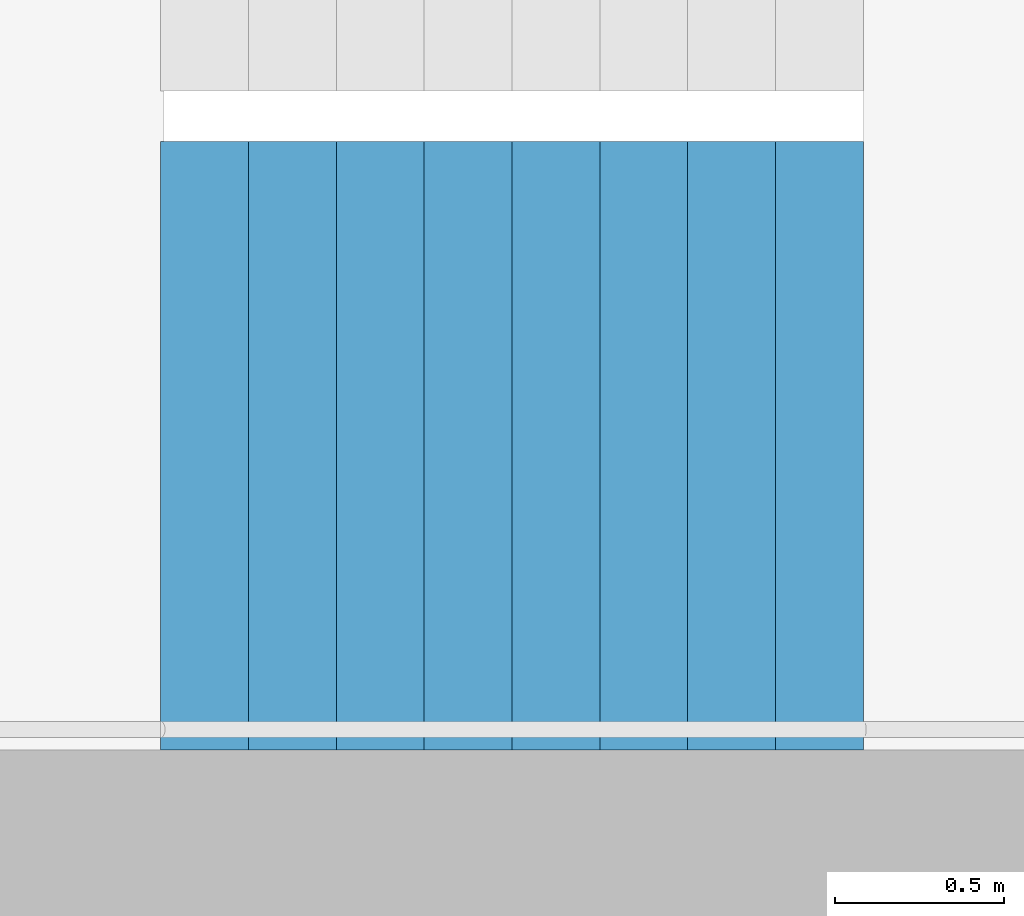
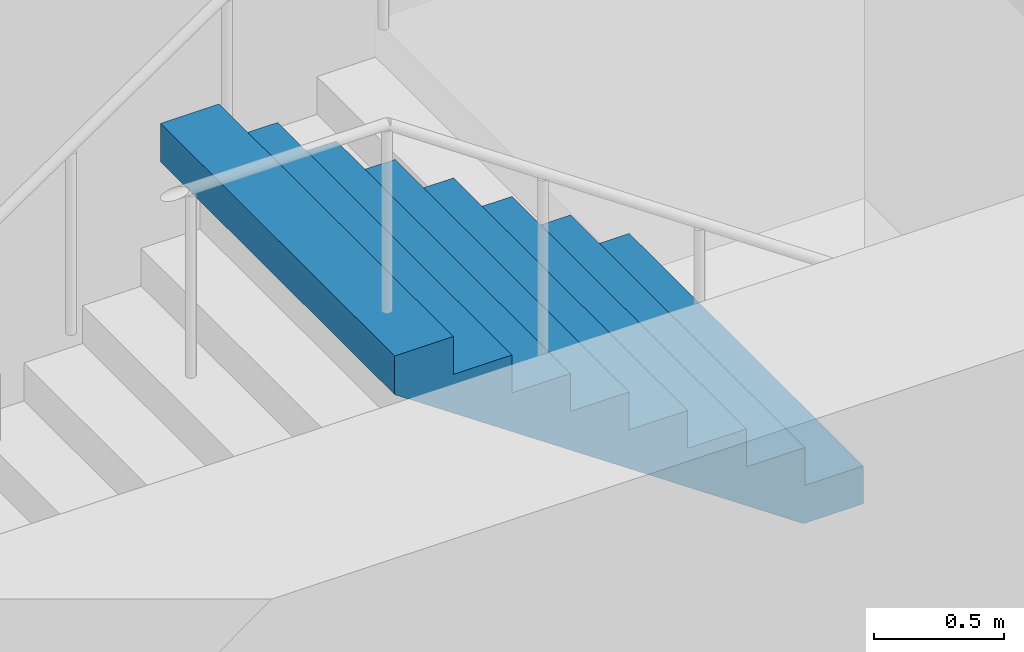
# One storey, part 25 of 29: 1 stair flight, 1 element without a shape of its own.
"""IFC4 building model written with IfcOpenShell, lengths in metres."""

from ifc_helpers import new_model, si_unit, direction, frame, origin, place, context, subcontext, project, spatial, triangles, material, type_object, element, aggregate, save


model = new_model("IFC4")

# Units and contexts
model_context = context("Model", 3, precision=1e-05, world=origin(), true_north=direction((0.0, 1.0)))
body_context = subcontext(model_context, "Body", "Model", "MODEL_VIEW")
ifc_project = project(units=[si_unit("LENGTHUNIT", "METRE"), si_unit("AREAUNIT", "SQUARE_METRE"), si_unit("VOLUMEUNIT", "CUBIC_METRE"), si_unit("PLANEANGLEUNIT", "RADIAN"), si_unit("MASSUNIT", "GRAM", prefix="KILO")], contexts=[model_context])

# Site, building, storey
site_placement = place(None, origin())
site = spatial("IfcSite", under=ifc_project, at=site_placement, CompositionType="ELEMENT")
building_placement = place(site_placement, origin())
building = spatial("IfcBuilding", under=site, at=building_placement, Name="Hakoniwa Tower and Hamabe Station Hall", CompositionType="ELEMENT")
storey_placement = place(building_placement, frame((0.0, 0.0, 104.199951171875)))
storey = spatial("IfcBuildingStorey", under=building, at=storey_placement, Name="L29", CompositionType="ELEMENT", Elevation=104.199951171875)

# Stair, stair flight
ifc_material_1 = material(Name="Concrete C40", Category="concrete")
stair_type = type_object("IfcStairType", Name="ESCAPE STAIR 1800", PredefinedType="HALF_TURN_STAIR", material=ifc_material_1)
stair_placement = place(storey_placement, origin())
stair = element("IfcStair", 1, at=stair_placement, inside=storey, type_object=stair_type, Name="Escape stair ST-4 L29", PredefinedType="HALF_TURN_STAIR")
ifc_material_2 = material(Name="Concrete C40", Category="concrete")
stair_flight_type = type_object("IfcStairFlightType", Name="STAIR FLIGHT 1800", PredefinedType="STRAIGHT", material=ifc_material_2)
stair_flight_placement = place(storey_placement, frame((25.47998046875, -6.60009765625, 1.60009765625), z_axis=(0.0, 0.0, 1.0), x_axis=(-1.0, 0.0, 0.0)))
stair_flight = element("IfcStairFlight", 2, at=stair_flight_placement, type_object=stair_flight_type, Name="ST-4 flight 2", NumberOfRisers=9, NumberOfTreads=8, PredefinedType="STRAIGHT", RiserHeight=0.177777778, TreadLength=0.26, context=body_context, shape_type="Tessellation", body=[
    triangles([(0.0, 0.89990234375, 0.0), (0.260009765625, 0.89990234375, 0.0), (0.265625, 0.89990234375, 0.0), (0.52001953125, 0.89990234375, 0.174072265625), (0.780029296875, 0.89990234375, 0.351806640625), (1.0400390625, 0.89990234375, 0.529541015625), (1.300048828125, 0.89990234375, 0.707275390625), (1.56005859375, 0.89990234375, 0.885009765625), (1.820068359375, 0.89990234375, 1.062744140625), (2.080078125, 0.89990234375, 1.24072265625), (2.080078125, 0.89990234375, 1.422119140625), (1.820068359375, 0.89990234375, 1.422119140625), (1.820068359375, 0.89990234375, 1.244384765625), (1.56005859375, 0.89990234375, 1.244384765625), (1.56005859375, 0.89990234375, 1.066650390625), (1.300048828125, 0.89990234375, 1.066650390625), (1.300048828125, 0.89990234375, 0.888916015625), (1.0400390625, 0.89990234375, 0.888916015625), (1.0400390625, 0.89990234375, 0.711181640625), (0.780029296875, 0.89990234375, 0.711181640625), (0.780029296875, 0.89990234375, 0.533447265625), (0.52001953125, 0.89990234375, 0.533447265625), (0.52001953125, 0.89990234375, 0.35546875), (0.265625, 0.89990234375, 0.35546875), (0.260009765625, 0.89990234375, 0.35546875), (0.260009765625, 0.89990234375, 0.177734375), (0.0, 0.89990234375, 0.177734375), (0.0, 0.06005859375, 0.0), (0.260009765625, 0.06005859375, 0.0), (0.265625, 0.06005859375, 0.0), (0.52001953125, 0.06005859375, 0.174072265625), (0.780029296875, 0.06005859375, 0.351806640625), (1.0400390625, 0.06005859375, 0.529541015625), (1.300048828125, 0.06005859375, 0.707275390625), (1.56005859375, 0.06005859375, 0.885009765625), (1.820068359375, 0.06005859375, 1.062744140625), (2.080078125, 0.06005859375, 1.24072265625), (2.080078125, 0.06005859375, 1.422119140625), (1.820068359375, 0.06005859375, 1.422119140625), (1.820068359375, 0.06005859375, 1.244384765625), (1.56005859375, 0.06005859375, 1.244384765625), (1.56005859375, 0.06005859375, 1.066650390625), (1.300048828125, 0.06005859375, 1.066650390625), (1.300048828125, 0.06005859375, 0.888916015625), (1.0400390625, 0.06005859375, 0.888916015625), (1.0400390625, 0.06005859375, 0.711181640625), (0.780029296875, 0.06005859375, 0.711181640625), (0.780029296875, 0.06005859375, 0.533447265625), (0.52001953125, 0.06005859375, 0.533447265625), (0.52001953125, 0.06005859375, 0.35546875), (0.265625, 0.06005859375, 0.35546875), (0.260009765625, 0.06005859375, 0.35546875), (0.260009765625, 0.06005859375, 0.177734375), (0.0, 0.06005859375, 0.177734375), (0.0, 0.04296875, 0.0), (0.260009765625, 0.04296875, 0.0), (0.265625, 0.04296875, 0.0), (0.52001953125, 0.04296875, 0.174072265625), (0.780029296875, 0.04296875, 0.351806640625), (1.0400390625, 0.04296875, 0.529541015625), (1.300048828125, 0.04296875, 0.707275390625), (1.56005859375, 0.04296875, 0.885009765625), (1.820068359375, 0.04296875, 1.062744140625), (2.080078125, 0.04296875, 1.24072265625), (2.080078125, 0.04296875, 1.422119140625), (1.820068359375, 0.04296875, 1.422119140625), (1.820068359375, 0.04296875, 1.244384765625), (1.56005859375, 0.04296875, 1.244384765625), (1.56005859375, 0.04296875, 1.066650390625), (1.300048828125, 0.04296875, 1.066650390625), (1.300048828125, 0.04296875, 0.888916015625), (1.0400390625, 0.04296875, 0.888916015625), (1.0400390625, 0.04296875, 0.711181640625), (0.780029296875, 0.04296875, 0.711181640625), (0.780029296875, 0.04296875, 0.533447265625), (0.52001953125, 0.04296875, 0.533447265625), (0.52001953125, 0.04296875, 0.35546875), (0.265625, 0.04296875, 0.35546875), (0.260009765625, 0.04296875, 0.35546875), (0.260009765625, 0.04296875, 0.177734375), (0.0, 0.04296875, 0.177734375), (0.0, 0.025634765625, 0.0), (0.260009765625, 0.025634765625, 0.0), (0.265625, 0.025634765625, 0.0), (0.52001953125, 0.025634765625, 0.174072265625), (0.780029296875, 0.025634765625, 0.351806640625), (1.0400390625, 0.025634765625, 0.529541015625), (1.300048828125, 0.025634765625, 0.707275390625), (1.56005859375, 0.025634765625, 0.885009765625), (1.820068359375, 0.025634765625, 1.062744140625), (2.080078125, 0.025634765625, 1.24072265625), (2.080078125, 0.025634765625, 1.422119140625), (1.820068359375, 0.025634765625, 1.422119140625), (1.820068359375, 0.025634765625, 1.244384765625), (1.56005859375, 0.025634765625, 1.244384765625), (1.56005859375, 0.025634765625, 1.066650390625), (1.300048828125, 0.025634765625, 1.066650390625), (1.300048828125, 0.025634765625, 0.888916015625), (1.0400390625, 0.025634765625, 0.888916015625), (1.0400390625, 0.025634765625, 0.711181640625), (0.780029296875, 0.025634765625, 0.711181640625), (0.780029296875, 0.025634765625, 0.533447265625), (0.52001953125, 0.025634765625, 0.533447265625), (0.52001953125, 0.025634765625, 0.35546875), (0.265625, 0.025634765625, 0.35546875), (0.260009765625, 0.025634765625, 0.35546875), (0.260009765625, 0.025634765625, 0.177734375), (0.0, 0.025634765625, 0.177734375), (0.0, 0.008544921875, 0.0), (0.260009765625, 0.008544921875, 0.0), (0.265625, 0.008544921875, 0.0), (0.52001953125, 0.008544921875, 0.174072265625), (0.780029296875, 0.008544921875, 0.351806640625), (1.0400390625, 0.008544921875, 0.529541015625), (1.300048828125, 0.008544921875, 0.707275390625), (1.56005859375, 0.008544921875, 0.885009765625), (1.820068359375, 0.008544921875, 1.062744140625), (2.080078125, 0.008544921875, 1.24072265625), (2.080078125, 0.008544921875, 1.422119140625), (1.820068359375, 0.008544921875, 1.422119140625), (1.820068359375, 0.008544921875, 1.244384765625), (1.56005859375, 0.008544921875, 1.244384765625), (1.56005859375, 0.008544921875, 1.066650390625), (1.300048828125, 0.008544921875, 1.066650390625), (1.300048828125, 0.008544921875, 0.888916015625), (1.0400390625, 0.008544921875, 0.888916015625), (1.0400390625, 0.008544921875, 0.711181640625), (0.780029296875, 0.008544921875, 0.711181640625), (0.780029296875, 0.008544921875, 0.533447265625), (0.52001953125, 0.008544921875, 0.533447265625), (0.52001953125, 0.008544921875, 0.35546875), (0.265625, 0.008544921875, 0.35546875), (0.260009765625, 0.008544921875, 0.35546875), (0.260009765625, 0.008544921875, 0.177734375), (0.0, 0.008544921875, 0.177734375), (0.0, -0.008544921875, 0.0), (0.260009765625, -0.008544921875, 0.0), (0.265625, -0.008544921875, 0.0), (0.52001953125, -0.008544921875, 0.174072265625), (0.780029296875, -0.008544921875, 0.351806640625), (1.0400390625, -0.008544921875, 0.529541015625), (1.300048828125, -0.008544921875, 0.707275390625), (1.56005859375, -0.008544921875, 0.885009765625), (1.820068359375, -0.008544921875, 1.062744140625), (2.080078125, -0.008544921875, 1.24072265625), (2.080078125, -0.008544921875, 1.422119140625), (1.820068359375, -0.008544921875, 1.422119140625), (1.820068359375, -0.008544921875, 1.244384765625), (1.56005859375, -0.008544921875, 1.244384765625), (1.56005859375, -0.008544921875, 1.066650390625), (1.300048828125, -0.008544921875, 1.066650390625), (1.300048828125, -0.008544921875, 0.888916015625), (1.0400390625, -0.008544921875, 0.888916015625), (1.0400390625, -0.008544921875, 0.711181640625), (0.780029296875, -0.008544921875, 0.711181640625), (0.780029296875, -0.008544921875, 0.533447265625), (0.52001953125, -0.008544921875, 0.533447265625), (0.52001953125, -0.008544921875, 0.35546875), (0.265625, -0.008544921875, 0.35546875), (0.260009765625, -0.008544921875, 0.35546875), (0.260009765625, -0.008544921875, 0.177734375), (0.0, -0.008544921875, 0.177734375), (0.0, -0.025634765625, 0.0), (0.260009765625, -0.025634765625, 0.0), (0.265625, -0.025634765625, 0.0), (0.52001953125, -0.025634765625, 0.174072265625), (0.780029296875, -0.025634765625, 0.351806640625), (1.0400390625, -0.025634765625, 0.529541015625), (1.300048828125, -0.025634765625, 0.707275390625), (1.56005859375, -0.025634765625, 0.885009765625), (1.820068359375, -0.025634765625, 1.062744140625), (2.080078125, -0.025634765625, 1.24072265625), (2.080078125, -0.025634765625, 1.422119140625), (1.820068359375, -0.025634765625, 1.422119140625), (1.820068359375, -0.025634765625, 1.244384765625), (1.56005859375, -0.025634765625, 1.244384765625), (1.56005859375, -0.025634765625, 1.066650390625), (1.300048828125, -0.025634765625, 1.066650390625), (1.300048828125, -0.025634765625, 0.888916015625), (1.0400390625, -0.025634765625, 0.888916015625), (1.0400390625, -0.025634765625, 0.711181640625), (0.780029296875, -0.025634765625, 0.711181640625), (0.780029296875, -0.025634765625, 0.533447265625), (0.52001953125, -0.025634765625, 0.533447265625), (0.52001953125, -0.025634765625, 0.35546875), (0.265625, -0.025634765625, 0.35546875), (0.260009765625, -0.025634765625, 0.35546875), (0.260009765625, -0.025634765625, 0.177734375), (0.0, -0.025634765625, 0.177734375), (0.0, -0.04296875, 0.0), (0.260009765625, -0.04296875, 0.0), (0.265625, -0.04296875, 0.0), (0.52001953125, -0.04296875, 0.174072265625), (0.780029296875, -0.04296875, 0.351806640625), (1.0400390625, -0.04296875, 0.529541015625), (1.300048828125, -0.04296875, 0.707275390625), (1.56005859375, -0.04296875, 0.885009765625), (1.820068359375, -0.04296875, 1.062744140625), (2.080078125, -0.04296875, 1.24072265625), (2.080078125, -0.04296875, 1.422119140625), (1.820068359375, -0.04296875, 1.422119140625), (1.820068359375, -0.04296875, 1.244384765625), (1.56005859375, -0.04296875, 1.244384765625), (1.56005859375, -0.04296875, 1.066650390625), (1.300048828125, -0.04296875, 1.066650390625), (1.300048828125, -0.04296875, 0.888916015625), (1.0400390625, -0.04296875, 0.888916015625), (1.0400390625, -0.04296875, 0.711181640625), (0.780029296875, -0.04296875, 0.711181640625), (0.780029296875, -0.04296875, 0.533447265625), (0.52001953125, -0.04296875, 0.533447265625), (0.52001953125, -0.04296875, 0.35546875), (0.265625, -0.04296875, 0.35546875), (0.260009765625, -0.04296875, 0.35546875), (0.260009765625, -0.04296875, 0.177734375), (0.0, -0.04296875, 0.177734375), (0.0, -0.06005859375, 0.0), (0.260009765625, -0.06005859375, 0.0), (0.265625, -0.06005859375, 0.0), (0.52001953125, -0.06005859375, 0.174072265625), (0.780029296875, -0.06005859375, 0.351806640625), (1.0400390625, -0.06005859375, 0.529541015625), (1.300048828125, -0.06005859375, 0.707275390625), (1.56005859375, -0.06005859375, 0.885009765625), (1.820068359375, -0.06005859375, 1.062744140625), (2.080078125, -0.06005859375, 1.24072265625), (2.080078125, -0.06005859375, 1.422119140625), (1.820068359375, -0.06005859375, 1.422119140625), (1.820068359375, -0.06005859375, 1.244384765625), (1.56005859375, -0.06005859375, 1.244384765625), (1.56005859375, -0.06005859375, 1.066650390625), (1.300048828125, -0.06005859375, 1.066650390625), (1.300048828125, -0.06005859375, 0.888916015625), (1.0400390625, -0.06005859375, 0.888916015625), (1.0400390625, -0.06005859375, 0.711181640625), (0.780029296875, -0.06005859375, 0.711181640625), (0.780029296875, -0.06005859375, 0.533447265625), (0.52001953125, -0.06005859375, 0.533447265625), (0.52001953125, -0.06005859375, 0.35546875), (0.265625, -0.06005859375, 0.35546875), (0.260009765625, -0.06005859375, 0.35546875), (0.260009765625, -0.06005859375, 0.177734375), (0.0, -0.06005859375, 0.177734375), (0.0, -0.89990234375, 0.0), (0.260009765625, -0.89990234375, 0.0), (0.265625, -0.89990234375, 0.0), (0.52001953125, -0.89990234375, 0.174072265625), (0.780029296875, -0.89990234375, 0.351806640625), (1.0400390625, -0.89990234375, 0.529541015625), (1.300048828125, -0.89990234375, 0.707275390625), (1.56005859375, -0.89990234375, 0.885009765625), (1.820068359375, -0.89990234375, 1.062744140625), (2.080078125, -0.89990234375, 1.24072265625), (2.080078125, -0.89990234375, 1.422119140625), (1.820068359375, -0.89990234375, 1.422119140625), (1.820068359375, -0.89990234375, 1.244384765625), (1.56005859375, -0.89990234375, 1.244384765625), (1.56005859375, -0.89990234375, 1.066650390625), (1.300048828125, -0.89990234375, 1.066650390625), (1.300048828125, -0.89990234375, 0.888916015625), (1.0400390625, -0.89990234375, 0.888916015625), (1.0400390625, -0.89990234375, 0.711181640625), (0.780029296875, -0.89990234375, 0.711181640625), (0.780029296875, -0.89990234375, 0.533447265625), (0.52001953125, -0.89990234375, 0.533447265625), (0.52001953125, -0.89990234375, 0.35546875), (0.265625, -0.89990234375, 0.35546875), (0.260009765625, -0.89990234375, 0.35546875), (0.260009765625, -0.89990234375, 0.177734375), (0.0, -0.89990234375, 0.177734375)], [[2, 27, 26], [245, 269, 270], [2, 1, 27], [245, 270, 244], [3, 25, 24], [246, 267, 268], [3, 26, 25], [246, 268, 269], [3, 2, 26], [246, 269, 245], [4, 24, 23], [247, 266, 267], [4, 3, 24], [247, 267, 246], [5, 22, 21], [248, 264, 265], [5, 23, 22], [248, 265, 266], [5, 4, 23], [248, 266, 247], [6, 20, 19], [249, 262, 263], [6, 21, 20], [249, 263, 264], [6, 5, 21], [249, 264, 248], [7, 18, 17], [250, 260, 261], [7, 19, 18], [250, 261, 262], [7, 6, 19], [250, 262, 249], [8, 16, 15], [251, 258, 259], [8, 17, 16], [251, 259, 260], [8, 7, 17], [251, 260, 250], [9, 14, 13], [252, 256, 257], [9, 15, 14], [252, 257, 258], [9, 8, 15], [252, 258, 251], [10, 12, 11], [253, 254, 255], [10, 13, 12], [253, 255, 256], [10, 9, 13], [253, 256, 252], [1, 2, 29], [1, 29, 28], [28, 29, 56], [28, 56, 55], [55, 56, 83], [55, 83, 82], [82, 83, 110], [82, 110, 109], [109, 110, 137], [109, 137, 136], [136, 137, 164], [136, 164, 163], [163, 164, 191], [163, 191, 190], [190, 191, 218], [190, 218, 217], [217, 218, 245], [217, 245, 244], [2, 3, 30], [2, 30, 29], [29, 30, 57], [29, 57, 56], [56, 57, 84], [56, 84, 83], [83, 84, 111], [83, 111, 110], [110, 111, 138], [110, 138, 137], [137, 138, 165], [137, 165, 164], [164, 165, 192], [164, 192, 191], [191, 192, 219], [191, 219, 218], [218, 219, 246], [218, 246, 245], [3, 4, 31], [3, 31, 30], [30, 31, 58], [30, 58, 57], [57, 58, 85], [57, 85, 84], [84, 85, 112], [84, 112, 111], [111, 112, 139], [111, 139, 138], [138, 139, 166], [138, 166, 165], [165, 166, 193], [165, 193, 192], [192, 193, 220], [192, 220, 219], [219, 220, 247], [219, 247, 246], [4, 5, 32], [4, 32, 31], [31, 32, 59], [31, 59, 58], [58, 59, 86], [58, 86, 85], [85, 86, 113], [85, 113, 112], [112, 113, 140], [112, 140, 139], [139, 140, 167], [139, 167, 166], [166, 167, 194], [166, 194, 193], [193, 194, 221], [193, 221, 220], [220, 221, 248], [220, 248, 247], [5, 6, 33], [5, 33, 32], [32, 33, 60], [32, 60, 59], [59, 60, 87], [59, 87, 86], [86, 87, 114], [86, 114, 113], [113, 114, 141], [113, 141, 140], [140, 141, 168], [140, 168, 167], [167, 168, 195], [167, 195, 194], [194, 195, 222], [194, 222, 221], [221, 222, 249], [221, 249, 248], [6, 7, 34], [6, 34, 33], [33, 34, 61], [33, 61, 60], [60, 61, 88], [60, 88, 87], [87, 88, 115], [87, 115, 114], [114, 115, 142], [114, 142, 141], [141, 142, 169], [141, 169, 168], [168, 169, 196], [168, 196, 195], [195, 196, 223], [195, 223, 222], [222, 223, 250], [222, 250, 249], [7, 8, 35], [7, 35, 34], [34, 35, 62], [34, 62, 61], [61, 62, 89], [61, 89, 88], [88, 89, 116], [88, 116, 115], [115, 116, 143], [115, 143, 142], [142, 143, 170], [142, 170, 169], [169, 170, 197], [169, 197, 196], [196, 197, 224], [196, 224, 223], [223, 224, 251], [223, 251, 250], [8, 9, 36], [8, 36, 35], [35, 36, 63], [35, 63, 62], [62, 63, 90], [62, 90, 89], [89, 90, 117], [89, 117, 116], [116, 117, 144], [116, 144, 143], [143, 144, 171], [143, 171, 170], [170, 171, 198], [170, 198, 197], [197, 198, 225], [197, 225, 224], [224, 225, 252], [224, 252, 251], [9, 10, 37], [9, 37, 36], [36, 37, 64], [36, 64, 63], [63, 64, 91], [63, 91, 90], [90, 91, 118], [90, 118, 117], [117, 118, 145], [117, 145, 144], [144, 145, 172], [144, 172, 171], [171, 172, 199], [171, 199, 198], [198, 199, 226], [198, 226, 225], [225, 226, 253], [225, 253, 252], [10, 11, 38], [10, 38, 37], [37, 38, 65], [37, 65, 64], [64, 65, 92], [64, 92, 91], [91, 92, 119], [91, 119, 118], [118, 119, 146], [118, 146, 145], [145, 146, 173], [145, 173, 172], [172, 173, 200], [172, 200, 199], [199, 200, 227], [199, 227, 226], [226, 227, 254], [226, 254, 253], [11, 12, 39], [11, 39, 38], [38, 39, 66], [38, 66, 65], [65, 66, 93], [65, 93, 92], [92, 93, 120], [92, 120, 119], [119, 120, 147], [119, 147, 146], [146, 147, 174], [146, 174, 173], [173, 174, 201], [173, 201, 200], [200, 201, 228], [200, 228, 227], [227, 228, 255], [227, 255, 254], [12, 13, 40], [12, 40, 39], [39, 40, 67], [39, 67, 66], [66, 67, 94], [66, 94, 93], [93, 94, 121], [93, 121, 120], [120, 121, 148], [120, 148, 147], [147, 148, 175], [147, 175, 174], [174, 175, 202], [174, 202, 201], [201, 202, 229], [201, 229, 228], [228, 229, 256], [228, 256, 255], [13, 14, 41], [13, 41, 40], [40, 41, 68], [40, 68, 67], [67, 68, 95], [67, 95, 94], [94, 95, 122], [94, 122, 121], [121, 122, 149], [121, 149, 148], [148, 149, 176], [148, 176, 175], [175, 176, 203], [175, 203, 202], [202, 203, 230], [202, 230, 229], [229, 230, 257], [229, 257, 256], [14, 15, 42], [14, 42, 41], [41, 42, 69], [41, 69, 68], [68, 69, 96], [68, 96, 95], [95, 96, 123], [95, 123, 122], [122, 123, 150], [122, 150, 149], [149, 150, 177], [149, 177, 176], [176, 177, 204], [176, 204, 203], [203, 204, 231], [203, 231, 230], [230, 231, 258], [230, 258, 257], [15, 16, 43], [15, 43, 42], [42, 43, 70], [42, 70, 69], [69, 70, 97], [69, 97, 96], [96, 97, 124], [96, 124, 123], [123, 124, 151], [123, 151, 150], [150, 151, 178], [150, 178, 177], [177, 178, 205], [177, 205, 204], [204, 205, 232], [204, 232, 231], [231, 232, 259], [231, 259, 258], [16, 17, 44], [16, 44, 43], [43, 44, 71], [43, 71, 70], [70, 71, 98], [70, 98, 97], [97, 98, 125], [97, 125, 124], [124, 125, 152], [124, 152, 151], [151, 152, 179], [151, 179, 178], [178, 179, 206], [178, 206, 205], [205, 206, 233], [205, 233, 232], [232, 233, 260], [232, 260, 259], [17, 18, 45], [17, 45, 44], [44, 45, 72], [44, 72, 71], [71, 72, 99], [71, 99, 98], [98, 99, 126], [98, 126, 125], [125, 126, 153], [125, 153, 152], [152, 153, 180], [152, 180, 179], [179, 180, 207], [179, 207, 206], [206, 207, 234], [206, 234, 233], [233, 234, 261], [233, 261, 260], [18, 19, 46], [18, 46, 45], [45, 46, 73], [45, 73, 72], [72, 73, 100], [72, 100, 99], [99, 100, 127], [99, 127, 126], [126, 127, 154], [126, 154, 153], [153, 154, 181], [153, 181, 180], [180, 181, 208], [180, 208, 207], [207, 208, 235], [207, 235, 234], [234, 235, 262], [234, 262, 261], [19, 20, 47], [19, 47, 46], [46, 47, 74], [46, 74, 73], [73, 74, 101], [73, 101, 100], [100, 101, 128], [100, 128, 127], [127, 128, 155], [127, 155, 154], [154, 155, 182], [154, 182, 181], [181, 182, 209], [181, 209, 208], [208, 209, 236], [208, 236, 235], [235, 236, 263], [235, 263, 262], [20, 21, 48], [20, 48, 47], [47, 48, 75], [47, 75, 74], [74, 75, 102], [74, 102, 101], [101, 102, 129], [101, 129, 128], [128, 129, 156], [128, 156, 155], [155, 156, 183], [155, 183, 182], [182, 183, 210], [182, 210, 209], [209, 210, 237], [209, 237, 236], [236, 237, 264], [236, 264, 263], [21, 22, 49], [21, 49, 48], [48, 49, 76], [48, 76, 75], [75, 76, 103], [75, 103, 102], [102, 103, 130], [102, 130, 129], [129, 130, 157], [129, 157, 156], [156, 157, 184], [156, 184, 183], [183, 184, 211], [183, 211, 210], [210, 211, 238], [210, 238, 237], [237, 238, 265], [237, 265, 264], [22, 23, 50], [22, 50, 49], [49, 50, 77], [49, 77, 76], [76, 77, 104], [76, 104, 103], [103, 104, 131], [103, 131, 130], [130, 131, 158], [130, 158, 157], [157, 158, 185], [157, 185, 184], [184, 185, 212], [184, 212, 211], [211, 212, 239], [211, 239, 238], [238, 239, 266], [238, 266, 265], [23, 24, 51], [23, 51, 50], [50, 51, 78], [50, 78, 77], [77, 78, 105], [77, 105, 104], [104, 105, 132], [104, 132, 131], [131, 132, 159], [131, 159, 158], [158, 159, 186], [158, 186, 185], [185, 186, 213], [185, 213, 212], [212, 213, 240], [212, 240, 239], [239, 240, 267], [239, 267, 266], [24, 25, 52], [24, 52, 51], [51, 52, 79], [51, 79, 78], [78, 79, 106], [78, 106, 105], [105, 106, 133], [105, 133, 132], [132, 133, 160], [132, 160, 159], [159, 160, 187], [159, 187, 186], [186, 187, 214], [186, 214, 213], [213, 214, 241], [213, 241, 240], [240, 241, 268], [240, 268, 267], [25, 26, 53], [25, 53, 52], [52, 53, 80], [52, 80, 79], [79, 80, 107], [79, 107, 106], [106, 107, 134], [106, 134, 133], [133, 134, 161], [133, 161, 160], [160, 161, 188], [160, 188, 187], [187, 188, 215], [187, 215, 214], [214, 215, 242], [214, 242, 241], [241, 242, 269], [241, 269, 268], [26, 27, 54], [26, 54, 53], [53, 54, 81], [53, 81, 80], [80, 81, 108], [80, 108, 107], [107, 108, 135], [107, 135, 134], [134, 135, 162], [134, 162, 161], [161, 162, 189], [161, 189, 188], [188, 189, 216], [188, 216, 215], [215, 216, 243], [215, 243, 242], [242, 243, 270], [242, 270, 269], [27, 1, 28], [27, 28, 54], [54, 28, 55], [54, 55, 81], [81, 55, 82], [81, 82, 108], [108, 82, 109], [108, 109, 135], [135, 109, 136], [135, 136, 162], [162, 136, 163], [162, 163, 189], [189, 163, 190], [189, 190, 216], [216, 190, 217], [216, 217, 243], [243, 217, 244], [243, 244, 270]], closed=True),
])
aggregate(stair, [stair_flight])

save(model, "model.ifc")
